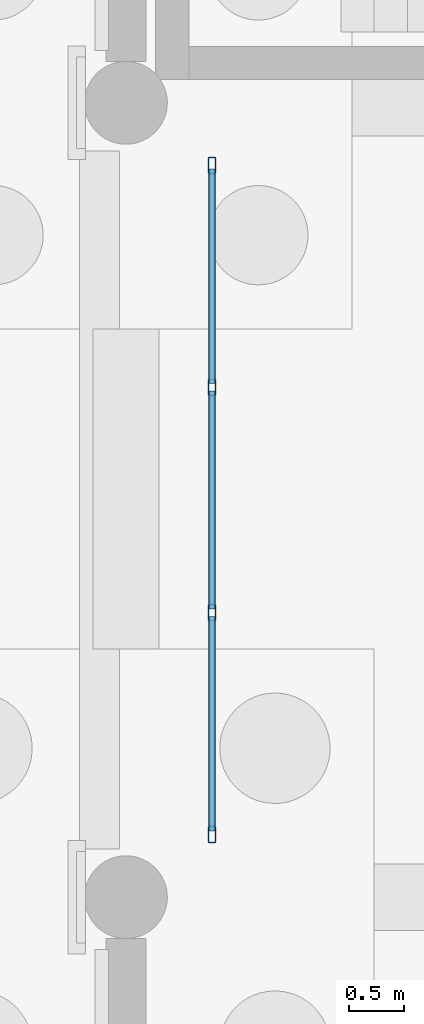
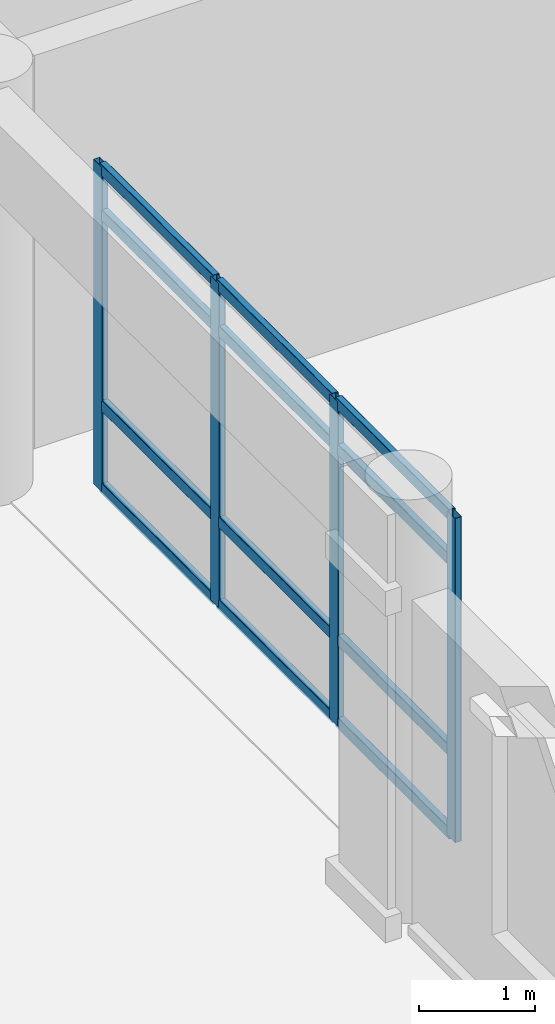
# One storey, part 68 of 196: 16 members, 1 element without a shape of its own.
"""IFC4 building model written with IfcOpenShell, lengths in metres."""

import ifcopenshell
import ifcopenshell.guid

model = None  # the IFC model being written
_history = None  # IfcOwnerHistory: only IFC2X3 demands one
_inside = {}  # id of a spatial element -> (the spatial element, [elements in it])
_under = {}  # id of a project, library or spatial element -> (it, [spatial elements below it])
_declared = {}  # id of a project -> (the project, [libraries it declares])
_typed = {}  # id of a type object -> (the type object, [elements of that type])
_made_of = {}  # id of a material, layer set ... -> (it, [elements and type objects made of it])


def new_model(schema):
    """Start an empty IFC model of exactly this schema.

    Asked for "IFC4X3", IfcOpenShell would pick the latest addendum, in which some entities
    have other attributes; the version numbers below select the first issue.
    IFC2X3 requires an IfcOwnerHistory on every rooted entity: one is made here for all.
    """
    global model, _history
    if schema == "IFC4X3":
        model = ifcopenshell.file(schema_version=(4, 3, 0, 0))
    else:
        model = ifcopenshell.file(schema=schema)
    _inside.clear()
    _under.clear()
    _declared.clear()
    _typed.clear()
    _made_of.clear()
    _history = None
    if model.schema == "IFC2X3":
        org = make("IfcOrganization", Name="unknown")
        user = make(
            "IfcPersonAndOrganization",
            ThePerson=make("IfcPerson", FamilyName="unknown"),
            TheOrganization=org,
        )
        app = make(
            "IfcApplication",
            ApplicationDeveloper=org,
            Version="unknown",
            ApplicationFullName="unknown",
            ApplicationIdentifier="unknown",
        )
        _history = make(
            "IfcOwnerHistory",
            OwningUser=user,
            OwningApplication=app,
            ChangeAction="ADDED",
            CreationDate=0,
        )
    return model


def make(cls, **values):
    """One entity of the class cls with the attributes given. An attribute that is None is left unset."""
    return model.create_entity(
        cls, **{name: value for name, value in values.items() if value is not None}
    )


def rooted(cls, **values):
    """An entity with a GlobalId (a new one), such as an element, a storey or a relation."""
    return make(cls, GlobalId=ifcopenshell.guid.new(), OwnerHistory=_history, **values)


def si_unit(unit_type, name, prefix=None):
    """IfcSIUnit, for example si_unit("LENGTHUNIT", "METRE", prefix="MILLI")."""
    return make("IfcSIUnit", UnitType=unit_type, Prefix=prefix, Name=name)


def assignment(units):
    """IfcUnitAssignment: the units of a project."""
    return None if units is None else make("IfcUnitAssignment", Units=units)


def point(xyz):
    """IfcCartesianPoint."""
    return None if xyz is None else make("IfcCartesianPoint", Coordinates=xyz)


def direction(xyz):
    """IfcDirection."""
    return None if xyz is None else make("IfcDirection", DirectionRatios=xyz)


def frame(location, z_axis=None, x_axis=None):
    """IfcAxis2Placement3D, a coordinate frame: its origin and axes. An axis left out is left unset."""
    return make(
        "IfcAxis2Placement3D",
        Location=point(location),
        Axis=direction(z_axis),
        RefDirection=direction(x_axis),
    )


def frame_2d(location, x_axis=None):
    """IfcAxis2Placement2D, a coordinate frame in the plane: its origin and x axis."""
    return make(
        "IfcAxis2Placement2D", Location=point(location), RefDirection=direction(x_axis)
    )


def origin():
    """The frame at (0, 0, 0) with its axes left unset."""
    return frame((0.0, 0.0, 0.0))


def origin_2d():
    """The frame at (0, 0) in the plane with its x axis left unset."""
    return frame_2d((0.0, 0.0))


def place(relative_to, where):
    """IfcLocalPlacement: puts the frame where relative to a parent placement (None: the world)."""
    return make(
        "IfcLocalPlacement", PlacementRelTo=relative_to, RelativePlacement=where
    )


def context(
    kind, dimensions, precision=None, world=None, true_north=None, identifier=None
):
    """IfcGeometricRepresentationContext, for example the 3D "Model" context."""
    return make(
        "IfcGeometricRepresentationContext",
        ContextIdentifier=identifier,
        ContextType=kind,
        CoordinateSpaceDimension=dimensions,
        Precision=precision,
        WorldCoordinateSystem=world,
        TrueNorth=true_north,
    )


def subcontext(parent, identifier, kind, view, scale=None):
    """IfcGeometricRepresentationSubContext, for example "Body" below "Model"."""
    return make(
        "IfcGeometricRepresentationSubContext",
        ContextIdentifier=identifier,
        ContextType=kind,
        ParentContext=parent,
        TargetScale=scale,
        TargetView=view,
    )


def project(units=None, contexts=None):
    """IfcProject with its units and contexts."""
    return rooted(
        "IfcProject",
        Name="project",
        RepresentationContexts=contexts,
        UnitsInContext=assignment(units),
    )


def spatial(cls, under=None, at=None, **own):
    """A site, building, storey or space (cls), placed at a placement, below another one or the project."""
    s = rooted(cls, ObjectPlacement=at, **own)
    if under is not None:
        _under.setdefault(under.id(), (under, []))[1].append(s)
    return s


def profile(cls, at=None, kind="AREA", **sizes):
    """A parametric profile (cls). Its sizes go by their IFC names, for example OverallWidth=200.0."""
    return make(cls, ProfileType=kind, Position=at, **sizes)


def hollow_rectangle(**sizes):
    """IfcRectangleHollowProfileDef."""
    return profile("IfcRectangleHollowProfileDef", **sizes)


def extrude(swept, where, along, depth):
    """IfcExtrudedAreaSolid: the profile swept, set in the frame where, extruded along a direction by depth."""
    return make(
        "IfcExtrudedAreaSolid",
        SweptArea=swept,
        Position=where,
        ExtrudedDirection=direction(along),
        Depth=depth,
    )


def shape(context_of_items, identifier, shape_type, items):
    """IfcShapeRepresentation: the items that make up one representation, for example the "Body"."""
    return make(
        "IfcShapeRepresentation",
        ContextOfItems=context_of_items,
        RepresentationIdentifier=identifier,
        RepresentationType=shape_type,
        Items=items,
    )


def material(Name=None, Category=None):
    """IfcMaterial."""
    return make("IfcMaterial", Name=Name, Category=Category)


def layer(
    of_material, thickness, ventilated=None, Name=None, Category=None, Priority=None
):
    """IfcMaterialLayer: one layer of a wall or slab, of a material (None: an air gap)."""
    return make(
        "IfcMaterialLayer",
        Material=of_material,
        LayerThickness=thickness,
        IsVentilated=ventilated,
        Name=Name,
        Category=Category,
        Priority=Priority,
    )


def layer_set(layers, Name=None):
    """IfcMaterialLayerSet."""
    return make("IfcMaterialLayerSet", MaterialLayers=layers, LayerSetName=Name)


def material_profile(
    of_material, cross_section, Name=None, Category=None, Priority=None
):
    """IfcMaterialProfile: a cross section and its material."""
    return make(
        "IfcMaterialProfile",
        Name=Name,
        Material=of_material,
        Profile=cross_section,
        Priority=Priority,
        Category=Category,
    )


def profile_set(profiles, Name=None, composite=None):
    """IfcMaterialProfileSet."""
    return make(
        "IfcMaterialProfileSet",
        Name=Name,
        MaterialProfiles=profiles,
        CompositeProfile=composite,
    )


def made_of(thing, what):
    """Note that an element or type object is made of a material, layer set ...; save() writes the relation."""
    if what is not None:
        _made_of.setdefault(what.id(), (what, []))[1].append(thing)
    return thing


def type_object(cls, material=None, **own):
    """A type object (cls), such as IfcWallType, which elements share."""
    return made_of(rooted(cls, **own), material)


def element(
    cls,
    number,
    at=None,
    inside=None,
    cuts=None,
    type_object=None,
    material=None,
    context=None,
    identifier="Body",
    shape_type=None,
    held_by="IfcProductDefinitionShape",
    body=None,
    shapes=None,
    **own,
):
    """One element of the class cls, such as IfcWall. Its Tag is "e" and its number.

    at: its placement. inside: the storey or other place that contains it. cuts: it is an
    opening in that element (IfcRelVoidsElement). A single representation is given by context,
    identifier, shape_type and body (its items); several are given by shapes. held_by: the class
    of the entity that holds the representations. save() writes the other relations.
    """
    e = rooted(cls, Tag="e%d" % number, ObjectPlacement=at, **own)
    if body is not None:
        shapes = [shape(context, identifier, shape_type, body)]
    if shapes is not None:
        e.Representation = make(held_by, Representations=shapes)
    if inside is not None:
        _inside.setdefault(inside.id(), (inside, []))[1].append(e)
    if cuts is not None:
        rooted(
            "IfcRelVoidsElement", RelatingBuildingElement=cuts, RelatedOpeningElement=e
        )
    if type_object is not None:
        _typed.setdefault(type_object.id(), (type_object, []))[1].append(e)
    return made_of(e, material)


def aggregate(whole, parts):
    """IfcRelAggregates: a whole, such as a stair, and the parts it consists of."""
    return rooted("IfcRelAggregates", RelatingObject=whole, RelatedObjects=parts)


def save(model, path):
    """Write the relations noted so far, then the file.

    IfcRelAggregates (storeys below a building ...), IfcRelContainedInSpatialStructure (elements
    in a storey), IfcRelDefinesByType, IfcRelAssociatesMaterial and IfcRelDeclares: one each for
    every whole, place, type object, material and project.
    """
    for whole, parts in _under.values():
        aggregate(whole, parts)
    for where, things in _inside.values():
        rooted(
            "IfcRelContainedInSpatialStructure",
            RelatedElements=things,
            RelatingStructure=where,
        )
    for kind, things in _typed.values():
        rooted("IfcRelDefinesByType", RelatedObjects=things, RelatingType=kind)
    for what, things in _made_of.values():
        rooted("IfcRelAssociatesMaterial", RelatedObjects=things, RelatingMaterial=what)
    for by, libraries in _declared.values():
        rooted("IfcRelDeclares", RelatingContext=by, RelatedDefinitions=libraries)
    model.write(path)


model = new_model("IFC4")

# Units and contexts
model_context = context("Model", 3, precision=1e-05, world=origin(), true_north=direction((0.0, 1.0)))
body_context = subcontext(model_context, "Body", "Model", "MODEL_VIEW")
ifc_project = project(units=[si_unit("LENGTHUNIT", "METRE"), si_unit("AREAUNIT", "SQUARE_METRE"), si_unit("VOLUMEUNIT", "CUBIC_METRE"), si_unit("PLANEANGLEUNIT", "RADIAN"), si_unit("MASSUNIT", "GRAM", prefix="KILO")], contexts=[model_context])

# Site, building, storey
site_placement = place(None, origin())
site = spatial("IfcSite", under=ifc_project, at=site_placement, CompositionType="ELEMENT")
building_placement = place(site_placement, origin())
building = spatial("IfcBuilding", under=site, at=building_placement, Name="Asteropetra Specialist Clinic", CompositionType="ELEMENT")
storey_placement = place(building_placement, origin())
storey = spatial("IfcBuildingStorey", under=building, at=storey_placement, Name="L00", CompositionType="ELEMENT", Elevation=0.0)

# Curtain wall, members
ifc_material_1 = material(Name="Aluminium and low-E glass", Category="aluminium")
ifc_layer = layer(ifc_material_1, 0.179931640625)
ifc_layer_set = layer_set([ifc_layer], Name="Aluminium and low-E glass")
curtain_wall_type = type_object("IfcCurtainWallType", Name="CW-SYS-10", PredefinedType="USERDEFINED", material=ifc_layer_set)
curtain_wall_placement = place(storey_placement, origin())
curtain_wall = element("IfcCurtainWall", 1, at=curtain_wall_placement, inside=storey, type_object=curtain_wall_type, Name="Curtain Wall CW-196", ObjectType="STICK GLAZED COLONNADE", PredefinedType="USERDEFINED")
ifc_material_2 = material(Name="Aluminium 6063-T6", Category="aluminium")
ifc_material_profile_1 = material_profile(ifc_material_2, hollow_rectangle(XDim=0.06494140625, YDim=0.14990234375, WallThickness=0.00390625, InnerFilletRadius=0.00390625, OuterFilletRadius=0.008056640625, at=origin_2d()), Name="MUL 150x65x4.0")
ifc_profile_set_1 = profile_set([ifc_material_profile_1], Name="Aluminium 6063-T6")
member_type_1 = type_object("IfcMemberType", Name="CWM-150x65", PredefinedType="MULLION", material=ifc_profile_set_1)
member_1_placement = place(storey_placement, frame((106.3798828125, 11.4326171875, 0.0), z_axis=(0.0, 0.0, 1.0), x_axis=(1.0, 0.0, 0.0)))
member_1 = element("IfcMember", 2, at=member_1_placement, type_object=member_type_1, Name="CW-196 mullion 1", PredefinedType="MULLION", context=body_context, shape_type="SweptSolid", body=[
    extrude(hollow_rectangle(XDim=0.06494140625, YDim=0.14990234375, WallThickness=0.00390625, InnerFilletRadius=0.00390625, OuterFilletRadius=0.008056640625, at=origin_2d()), origin(), (0.0, 0.0, 1.0), 3.39990234375),
])
member_2_placement = place(storey_placement, frame((106.3798828125, 9.421630859375, 0.0), z_axis=(0.0, 0.0, 1.0), x_axis=(1.0, 0.0, 0.0)))
member_2 = element("IfcMember", 3, at=member_2_placement, type_object=member_type_1, Name="CW-196 mullion 2", PredefinedType="MULLION", context=body_context, shape_type="SweptSolid", body=[
    extrude(hollow_rectangle(XDim=0.06494140625, YDim=0.14990234375, WallThickness=0.00390625, InnerFilletRadius=0.00390625, OuterFilletRadius=0.008056640625, at=origin_2d()), origin(), (0.0, 0.0, 1.0), 3.39990234375),
])
member_3_placement = place(storey_placement, frame((106.3798828125, 7.37841796875, 0.0), z_axis=(0.0, 0.0, 1.0), x_axis=(1.0, 0.0, 0.0)))
member_3 = element("IfcMember", 4, at=member_3_placement, type_object=member_type_1, Name="CW-196 mullion 3", PredefinedType="MULLION", context=body_context, shape_type="SweptSolid", body=[
    extrude(hollow_rectangle(XDim=0.06494140625, YDim=0.14990234375, WallThickness=0.00390625, InnerFilletRadius=0.00390625, OuterFilletRadius=0.008056640625, at=origin_2d()), origin(), (0.0, 0.0, 1.0), 3.39990234375),
])
member_4_placement = place(storey_placement, frame((106.3798828125, 5.367431640625, 0.0), z_axis=(0.0, 0.0, 1.0), x_axis=(1.0, 0.0, 0.0)))
member_4 = element("IfcMember", 5, at=member_4_placement, type_object=member_type_1, Name="CW-196 mullion 4", PredefinedType="MULLION", context=body_context, shape_type="SweptSolid", body=[
    extrude(hollow_rectangle(XDim=0.06494140625, YDim=0.14990234375, WallThickness=0.00390625, InnerFilletRadius=0.00390625, OuterFilletRadius=0.008056640625, at=origin_2d()), origin(), (0.0, 0.0, 1.0), 3.39990234375),
])
ifc_material_3 = material(Name="Aluminium 6063-T6", Category="aluminium")
ifc_material_profile_2 = material_profile(ifc_material_3, hollow_rectangle(XDim=0.06494140625, YDim=0.1201171875, WallThickness=0.00390625, InnerFilletRadius=0.00390625, OuterFilletRadius=0.008056640625, at=origin_2d()), Name="TRN 120x65x4.0")
ifc_profile_set_2 = profile_set([ifc_material_profile_2], Name="Aluminium 6063-T6")
member_type_2 = type_object("IfcMemberType", Name="CWT-120x65", PredefinedType="USERDEFINED", material=ifc_profile_set_2)
member_5_placement = place(storey_placement, frame((106.3798828125, 11.39990234375, 0.032470703125), z_axis=(0.0, -1.0, 0.0), x_axis=(1.0, 0.0, 0.0)))
member_5 = element("IfcMember", 6, at=member_5_placement, type_object=member_type_2, Name="CW-196 transom 1.1", ObjectType="TRANSOM", PredefinedType="USERDEFINED", context=body_context, shape_type="SweptSolid", body=[
    extrude(hollow_rectangle(XDim=0.06494140625, YDim=0.1201171875, WallThickness=0.00390625, InnerFilletRadius=0.00390625, OuterFilletRadius=0.008056640625, at=origin_2d()), origin(), (0.0, 0.0, 1.0), 1.94580078125),
])
member_6_placement = place(storey_placement, frame((106.3798828125, 11.39990234375, 0.89990234375), z_axis=(0.0, -1.0, 0.0), x_axis=(1.0, 0.0, 0.0)))
member_6 = element("IfcMember", 7, at=member_6_placement, type_object=member_type_2, Name="CW-196 transom 1.2", ObjectType="TRANSOM", PredefinedType="USERDEFINED", context=body_context, shape_type="SweptSolid", body=[
    extrude(hollow_rectangle(XDim=0.06494140625, YDim=0.1201171875, WallThickness=0.00390625, InnerFilletRadius=0.00390625, OuterFilletRadius=0.008056640625, at=origin_2d()), origin(), (0.0, 0.0, 1.0), 1.94580078125),
])
member_7_placement = place(storey_placement, frame((106.3798828125, 11.39990234375, 2.89990234375), z_axis=(0.0, -1.0, 0.0), x_axis=(1.0, 0.0, 0.0)))
member_7 = element("IfcMember", 8, at=member_7_placement, type_object=member_type_2, Name="CW-196 transom 1.3", ObjectType="TRANSOM", PredefinedType="USERDEFINED", context=body_context, shape_type="SweptSolid", body=[
    extrude(hollow_rectangle(XDim=0.06494140625, YDim=0.1201171875, WallThickness=0.00390625, InnerFilletRadius=0.00390625, OuterFilletRadius=0.008056640625, at=origin_2d()), origin(), (0.0, 0.0, 1.0), 1.94580078125),
])
member_8_placement = place(storey_placement, frame((106.3798828125, 11.39990234375, 3.367431640625), z_axis=(0.0, -1.0, 0.0), x_axis=(1.0, 0.0, 0.0)))
member_8 = element("IfcMember", 9, at=member_8_placement, type_object=member_type_2, Name="CW-196 transom 1.4", ObjectType="TRANSOM", PredefinedType="USERDEFINED", context=body_context, shape_type="SweptSolid", body=[
    extrude(hollow_rectangle(XDim=0.06494140625, YDim=0.1201171875, WallThickness=0.00390625, InnerFilletRadius=0.00390625, OuterFilletRadius=0.008056640625, at=origin_2d()), origin(), (0.0, 0.0, 1.0), 1.94580078125),
])
member_9_placement = place(storey_placement, frame((106.3798828125, 9.38916015625, 0.032470703125), z_axis=(0.0, -1.0, 0.0), x_axis=(1.0, 0.0, 0.0)))
member_9 = element("IfcMember", 10, at=member_9_placement, type_object=member_type_2, Name="CW-196 transom 2.1", ObjectType="TRANSOM", PredefinedType="USERDEFINED", context=body_context, shape_type="SweptSolid", body=[
    extrude(hollow_rectangle(XDim=0.06494140625, YDim=0.1201171875, WallThickness=0.00390625, InnerFilletRadius=0.00390625, OuterFilletRadius=0.008056640625, at=origin_2d()), origin(), (0.0, 0.0, 1.0), 1.978271484375),
])
member_10_placement = place(storey_placement, frame((106.3798828125, 9.38916015625, 0.89990234375), z_axis=(0.0, -1.0, 0.0), x_axis=(1.0, 0.0, 0.0)))
member_10 = element("IfcMember", 11, at=member_10_placement, type_object=member_type_2, Name="CW-196 transom 2.2", ObjectType="TRANSOM", PredefinedType="USERDEFINED", context=body_context, shape_type="SweptSolid", body=[
    extrude(hollow_rectangle(XDim=0.06494140625, YDim=0.1201171875, WallThickness=0.00390625, InnerFilletRadius=0.00390625, OuterFilletRadius=0.008056640625, at=origin_2d()), origin(), (0.0, 0.0, 1.0), 1.978271484375),
])
member_11_placement = place(storey_placement, frame((106.3798828125, 9.38916015625, 2.89990234375), z_axis=(0.0, -1.0, 0.0), x_axis=(1.0, 0.0, 0.0)))
member_11 = element("IfcMember", 12, at=member_11_placement, type_object=member_type_2, Name="CW-196 transom 2.3", ObjectType="TRANSOM", PredefinedType="USERDEFINED", context=body_context, shape_type="SweptSolid", body=[
    extrude(hollow_rectangle(XDim=0.06494140625, YDim=0.1201171875, WallThickness=0.00390625, InnerFilletRadius=0.00390625, OuterFilletRadius=0.008056640625, at=origin_2d()), origin(), (0.0, 0.0, 1.0), 1.978271484375),
])
member_12_placement = place(storey_placement, frame((106.3798828125, 9.38916015625, 3.367431640625), z_axis=(0.0, -1.0, 0.0), x_axis=(1.0, 0.0, 0.0)))
member_12 = element("IfcMember", 13, at=member_12_placement, type_object=member_type_2, Name="CW-196 transom 2.4", ObjectType="TRANSOM", PredefinedType="USERDEFINED", context=body_context, shape_type="SweptSolid", body=[
    extrude(hollow_rectangle(XDim=0.06494140625, YDim=0.1201171875, WallThickness=0.00390625, InnerFilletRadius=0.00390625, OuterFilletRadius=0.008056640625, at=origin_2d()), origin(), (0.0, 0.0, 1.0), 1.978271484375),
])
member_13_placement = place(storey_placement, frame((106.3798828125, 7.345947265625, 0.032470703125), z_axis=(0.0, -1.0, 0.0), x_axis=(1.0, 0.0, 0.0)))
member_13 = element("IfcMember", 14, at=member_13_placement, type_object=member_type_2, Name="CW-196 transom 3.1", ObjectType="TRANSOM", PredefinedType="USERDEFINED", context=body_context, shape_type="SweptSolid", body=[
    extrude(hollow_rectangle(XDim=0.06494140625, YDim=0.1201171875, WallThickness=0.00390625, InnerFilletRadius=0.00390625, OuterFilletRadius=0.008056640625, at=origin_2d()), origin(), (0.0, 0.0, 1.0), 1.946044921875),
])
member_14_placement = place(storey_placement, frame((106.3798828125, 7.345947265625, 0.89990234375), z_axis=(0.0, -1.0, 0.0), x_axis=(1.0, 0.0, 0.0)))
member_14 = element("IfcMember", 15, at=member_14_placement, type_object=member_type_2, Name="CW-196 transom 3.2", ObjectType="TRANSOM", PredefinedType="USERDEFINED", context=body_context, shape_type="SweptSolid", body=[
    extrude(hollow_rectangle(XDim=0.06494140625, YDim=0.1201171875, WallThickness=0.00390625, InnerFilletRadius=0.00390625, OuterFilletRadius=0.008056640625, at=origin_2d()), origin(), (0.0, 0.0, 1.0), 1.946044921875),
])
member_15_placement = place(storey_placement, frame((106.3798828125, 7.345947265625, 2.89990234375), z_axis=(0.0, -1.0, 0.0), x_axis=(1.0, 0.0, 0.0)))
member_15 = element("IfcMember", 16, at=member_15_placement, type_object=member_type_2, Name="CW-196 transom 3.3", ObjectType="TRANSOM", PredefinedType="USERDEFINED", context=body_context, shape_type="SweptSolid", body=[
    extrude(hollow_rectangle(XDim=0.06494140625, YDim=0.1201171875, WallThickness=0.00390625, InnerFilletRadius=0.00390625, OuterFilletRadius=0.008056640625, at=origin_2d()), origin(), (0.0, 0.0, 1.0), 1.946044921875),
])
member_16_placement = place(storey_placement, frame((106.3798828125, 7.345947265625, 3.367431640625), z_axis=(0.0, -1.0, 0.0), x_axis=(1.0, 0.0, 0.0)))
member_16 = element("IfcMember", 17, at=member_16_placement, type_object=member_type_2, Name="CW-196 transom 3.4", ObjectType="TRANSOM", PredefinedType="USERDEFINED", context=body_context, shape_type="SweptSolid", body=[
    extrude(hollow_rectangle(XDim=0.06494140625, YDim=0.1201171875, WallThickness=0.00390625, InnerFilletRadius=0.00390625, OuterFilletRadius=0.008056640625, at=origin_2d()), origin(), (0.0, 0.0, 1.0), 1.946044921875),
])
aggregate(curtain_wall, [member_1, member_2, member_3, member_4, member_5, member_6, member_7, member_8, member_9, member_10, member_11, member_12, member_13, member_14, member_15, member_16])

save(model, "model.ifc")
